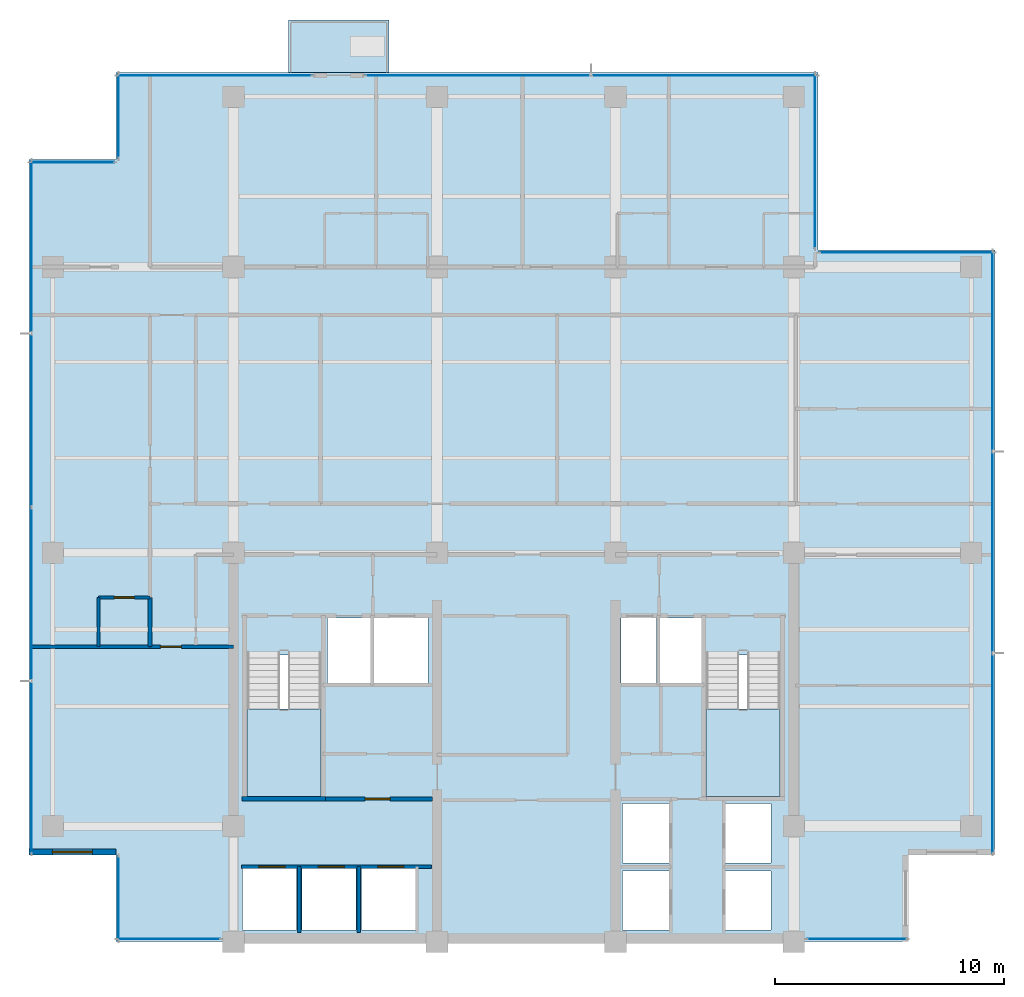
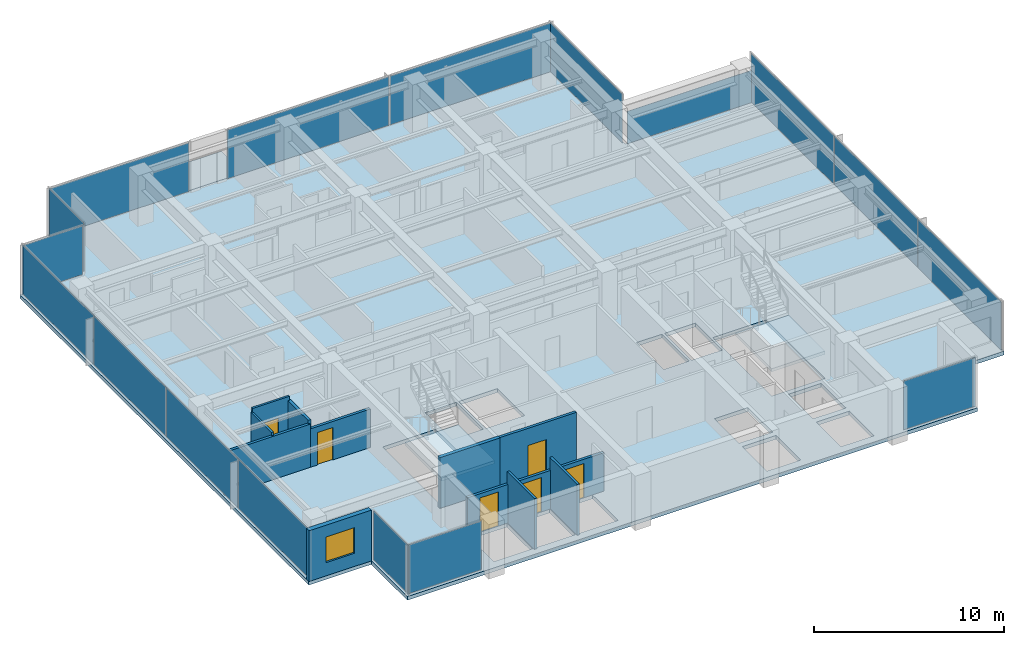
# One storey, part 6 of 14: 17 plates, 11 walls, 6 doors, 4 slabs, 1 window, 7 openings, 13 elements without a shape of their own.
"""IFC4 building model written with IfcOpenShell, lengths in metres."""

from ifc_helpers import new_model, si_unit, direction, frame, frame_2d, origin, origin_2d, place, context, subcontext, project, spatial, polyline, rectangle, outline, extrude, material, layer, layer_set, type_object, element, fill, aggregate, save


model = new_model("IFC4")

# Units and contexts
model_context = context("Model", 3, precision=1e-05, world=origin(), true_north=direction((0.0, 1.0)))
body_context = subcontext(model_context, "Body", "Model", "MODEL_VIEW")
ifc_project = project(units=[si_unit("LENGTHUNIT", "METRE"), si_unit("AREAUNIT", "SQUARE_METRE"), si_unit("VOLUMEUNIT", "CUBIC_METRE"), si_unit("PLANEANGLEUNIT", "RADIAN"), si_unit("MASSUNIT", "GRAM", prefix="KILO")], contexts=[model_context])

# Site, building, storey
site_placement = place(None, origin())
site = spatial("IfcSite", under=ifc_project, at=site_placement, CompositionType="ELEMENT")
building_placement = place(site_placement, origin())
building = spatial("IfcBuilding", under=site, at=building_placement, Name="Qalmaran Belvedere Hotel", CompositionType="ELEMENT")
storey_placement = place(building_placement, frame((0.0, 0.0, 235.39990234375)))
storey = spatial("IfcBuildingStorey", under=building, at=storey_placement, Name="L60", CompositionType="ELEMENT", Elevation=235.39990234375)

# Curtain wall, plate
ifc_material_1 = material(Name="Anodised Bronze Aluminium", Category="aluminium")
ifc_layer_1 = layer(ifc_material_1, 0.18994140625, Name="Anodised Bronze Aluminium")
ifc_layer_set_1 = layer_set([ifc_layer_1], Name="Anodised Bronze Aluminium")
curtain_wall_type = type_object("IfcCurtainWallType", Name="CW5-TOWER-UPPER", PredefinedType="NOTDEFINED", material=ifc_layer_set_1)
curtain_wall_1_placement = place(storey_placement, origin())
curtain_wall_1 = element("IfcCurtainWall", 1, at=curtain_wall_1_placement, inside=storey, type_object=curtain_wall_type, Name="L60 Curtain Wall CW5", PredefinedType="NOTDEFINED")
ifc_material_2 = material(Name="Solar-Control Double Glazing", Category="glass")
ifc_layer_2 = layer(ifc_material_2, 0.028076171875, Name="Solar-Control Double Glazing")
ifc_layer_set_2 = layer_set([ifc_layer_2], Name="Solar-Control Double Glazing")
plate_type = type_object("IfcPlateType", Name="CWP-VISION-28", PredefinedType="CURTAIN_PANEL", material=ifc_layer_set_2)
plate_1_placement = place(storey_placement, frame((17.467529296875, 3.6201171875, 0.065185546875), z_axis=(0.0, 0.0, 1.0), x_axis=(1.0, 0.0, 0.0)))
plate_1 = element("IfcPlate", 2, at=plate_1_placement, type_object=plate_type, Name="CW5 panel 1.1", PredefinedType="CURTAIN_PANEL", context=body_context, shape_type="SweptSolid", body=[
    extrude(rectangle(XDim=4.5048828125, YDim=0.028076171875, at=origin_2d()), origin(), (0.0, 0.0, 1.0), 3.1298828125),
])
aggregate(curtain_wall_1, [plate_1])

curtain_wall_2_placement = place(storey_placement, origin())
curtain_wall_2 = element("IfcCurtainWall", 3, at=curtain_wall_2_placement, inside=storey, type_object=curtain_wall_type, Name="L60 Curtain Wall CW5", PredefinedType="NOTDEFINED")
plate_2_placement = place(storey_placement, frame((47.5576171875, 3.6201171875, 0.065185546875), z_axis=(0.0, 0.0, 1.0), x_axis=(1.0, 0.0, 0.0)))
plate_2 = element("IfcPlate", 4, at=plate_2_placement, type_object=plate_type, Name="CW5 panel 1.1", PredefinedType="CURTAIN_PANEL", context=body_context, shape_type="SweptSolid", body=[
    extrude(rectangle(XDim=4.35498046875, YDim=0.028076171875, at=origin_2d()), origin(), (0.0, 0.0, 1.0), 3.1298828125),
])
aggregate(curtain_wall_2, [plate_2])

# Curtain wall, plates
curtain_wall_3_placement = place(storey_placement, origin())
curtain_wall_3 = element("IfcCurtainWall", 5, at=curtain_wall_3_placement, inside=storey, type_object=curtain_wall_type, Name="L60 Curtain Wall CW5", PredefinedType="NOTDEFINED")
plate_3_placement = place(storey_placement, frame((53.47998046875, 11.724609375, 0.065185546875), z_axis=(0.0, 0.0, 1.0), x_axis=(0.0, 1.0, 0.0)))
plate_3 = element("IfcPlate", 6, at=plate_3_placement, type_object=plate_type, Name="CW5 panel 1.1", PredefinedType="CURTAIN_PANEL", context=body_context, shape_type="SweptSolid", body=[
    extrude(rectangle(XDim=8.71923828125, YDim=0.028076171875, at=origin_2d()), origin(), (0.0, 0.0, 1.0), 3.1298828125),
])
plate_4_placement = place(storey_placement, frame((53.47998046875, 20.52490234375, 0.065185546875), z_axis=(0.0, 0.0, 1.0), x_axis=(0.0, 1.0, 0.0)))
plate_4 = element("IfcPlate", 7, at=plate_4_placement, type_object=plate_type, Name="CW5 panel 2.1", PredefinedType="CURTAIN_PANEL", context=body_context, shape_type="SweptSolid", body=[
    extrude(rectangle(XDim=8.751708984375, YDim=0.028076171875, at=origin_2d()), origin(), (0.0, 0.0, 1.0), 3.1298828125),
])
plate_5_placement = place(storey_placement, frame((53.47998046875, 29.325439453125, 0.065185546875), z_axis=(0.0, 0.0, 1.0), x_axis=(0.0, 1.0, 0.0)))
plate_5 = element("IfcPlate", 8, at=plate_5_placement, type_object=plate_type, Name="CW5 panel 3.1", PredefinedType="CURTAIN_PANEL", context=body_context, shape_type="SweptSolid", body=[
    extrude(rectangle(XDim=8.71923828125, YDim=0.028076171875, at=origin_2d()), origin(), (0.0, 0.0, 1.0), 3.1298828125),
])
aggregate(curtain_wall_3, [plate_3, plate_4, plate_5])

# Curtain wall, plate
curtain_wall_4_placement = place(storey_placement, origin())
curtain_wall_4 = element("IfcCurtainWall", 9, at=curtain_wall_4_placement, inside=storey, type_object=curtain_wall_type, Name="L60 Curtain Wall CW5", PredefinedType="NOTDEFINED")
plate_6_placement = place(storey_placement, frame((49.72509765625, 33.6298828125, 0.06494140625), z_axis=(0.0, 0.0, 1.0), x_axis=(-1.0, 0.0, 0.0)))
plate_6 = element("IfcPlate", 10, at=plate_6_placement, type_object=plate_type, Name="CW5 panel 1.1", PredefinedType="CURTAIN_PANEL", context=body_context, shape_type="SweptSolid", body=[
    extrude(rectangle(XDim=7.6201171875, YDim=0.028076171875, at=origin_2d()), origin(), (0.0, 0.0, 1.0), 2.074951171875),
])
aggregate(curtain_wall_4, [plate_6])

curtain_wall_5_placement = place(storey_placement, origin())
curtain_wall_5 = element("IfcCurtainWall", 11, at=curtain_wall_5_placement, inside=storey, type_object=curtain_wall_type, Name="L60 Curtain Wall CW5", PredefinedType="NOTDEFINED")
plate_7_placement = place(storey_placement, frame((45.72998046875, 37.625, 0.065185546875), z_axis=(0.0, 0.0, 1.0), x_axis=(0.0, 1.0, 0.0)))
plate_7 = element("IfcPlate", 12, at=plate_7_placement, type_object=plate_type, Name="CW5 panel 1.1", PredefinedType="CURTAIN_PANEL", context=body_context, shape_type="SweptSolid", body=[
    extrude(rectangle(XDim=7.6201171875, YDim=0.028076171875, at=origin_2d()), origin(), (0.0, 0.0, 1.0), 3.1298828125),
])
aggregate(curtain_wall_5, [plate_7])

curtain_wall_6_placement = place(storey_placement, origin())
curtain_wall_6 = element("IfcCurtainWall", 13, at=curtain_wall_6_placement, inside=storey, type_object=curtain_wall_type, Name="L60 Curtain Wall CW5", PredefinedType="NOTDEFINED")
plate_8_placement = place(storey_placement, frame((19.47509765625, 41.3798828125, 0.065185546875), z_axis=(0.0, 0.0, 1.0), x_axis=(-1.0, 0.0, 0.0)))
plate_8 = element("IfcPlate", 14, at=plate_8_placement, type_object=plate_type, Name="CW5 panel 1.1", PredefinedType="CURTAIN_PANEL", context=body_context, shape_type="SweptSolid", body=[
    extrude(rectangle(XDim=8.52001953125, YDim=0.028076171875, at=origin_2d()), origin(), (0.0, 0.0, 1.0), 3.1298828125),
])
aggregate(curtain_wall_6, [plate_8])

# Curtain wall, plates
curtain_wall_7_placement = place(storey_placement, origin())
curtain_wall_7 = element("IfcCurtainWall", 15, at=curtain_wall_7_placement, inside=storey, type_object=curtain_wall_type, Name="L60 Curtain Wall CW5", PredefinedType="NOTDEFINED")
plate_9_placement = place(storey_placement, frame((40.871337890625, 41.3798828125, 0.065185546875), z_axis=(0.0, 0.0, 1.0), x_axis=(-1.0, 0.0, 0.0)))
plate_9 = element("IfcPlate", 16, at=plate_9_placement, type_object=plate_type, Name="CW5 panel 1.1", PredefinedType="CURTAIN_PANEL", context=body_context, shape_type="SweptSolid", body=[
    extrude(rectangle(XDim=9.827392578125, YDim=0.028076171875, at=origin_2d()), origin(), (0.0, 0.0, 1.0), 3.1298828125),
])
plate_10_placement = place(storey_placement, frame((30.978759765625, 41.3798828125, 0.065185546875), z_axis=(0.0, 0.0, 1.0), x_axis=(-1.0, 0.0, 0.0)))
plate_10 = element("IfcPlate", 17, at=plate_10_placement, type_object=plate_type, Name="CW5 panel 2.1", PredefinedType="CURTAIN_PANEL", context=body_context, shape_type="SweptSolid", body=[
    extrude(rectangle(XDim=9.827392578125, YDim=0.028076171875, at=origin_2d()), origin(), (0.0, 0.0, 1.0), 3.1298828125),
])
aggregate(curtain_wall_7, [plate_9, plate_10])

# Curtain wall, plate
curtain_wall_8_placement = place(storey_placement, origin())
curtain_wall_8 = element("IfcCurtainWall", 18, at=curtain_wall_8_placement, inside=storey, type_object=curtain_wall_type, Name="L60 Curtain Wall CW5", PredefinedType="NOTDEFINED")
plate_11_placement = place(storey_placement, frame((15.27001953125, 39.60009765625, 0.065185546875), z_axis=(0.0, 0.0, 1.0), x_axis=(0.0, -1.0, 0.0)))
plate_11 = element("IfcPlate", 19, at=plate_11_placement, type_object=plate_type, Name="CW5 panel 1.1", PredefinedType="CURTAIN_PANEL", context=body_context, shape_type="SweptSolid", body=[
    extrude(rectangle(XDim=3.669921875, YDim=0.028076171875, at=origin_2d()), origin(), (0.0, 0.0, 1.0), 3.1298828125),
])
aggregate(curtain_wall_8, [plate_11])

curtain_wall_9_placement = place(storey_placement, origin())
curtain_wall_9 = element("IfcCurtainWall", 20, at=curtain_wall_9_placement, inside=storey, type_object=curtain_wall_type, Name="L60 Curtain Wall CW5", PredefinedType="NOTDEFINED")
plate_12_placement = place(storey_placement, frame((13.25, 37.580078125, 0.065185546875), z_axis=(0.0, 0.0, 1.0), x_axis=(-1.0, 0.0, 0.0)))
plate_12 = element("IfcPlate", 21, at=plate_12_placement, type_object=plate_type, Name="CW5 panel 1.1", PredefinedType="CURTAIN_PANEL", context=body_context, shape_type="SweptSolid", body=[
    extrude(rectangle(XDim=3.669921875, YDim=0.028076171875, at=origin_2d()), origin(), (0.0, 0.0, 1.0), 3.1298828125),
])
aggregate(curtain_wall_9, [plate_12])

# Curtain wall, plates
curtain_wall_10_placement = place(storey_placement, origin())
curtain_wall_10 = element("IfcCurtainWall", 22, at=curtain_wall_10_placement, inside=storey, type_object=curtain_wall_type, Name="L60 Curtain Wall CW5", PredefinedType="NOTDEFINED")
plate_13_placement = place(storey_placement, frame((11.469970703125, 33.8837890625, 0.065185546875), z_axis=(0.0, 0.0, 1.0), x_axis=(0.0, -1.0, 0.0)))
plate_13 = element("IfcPlate", 23, at=plate_13_placement, type_object=plate_type, Name="CW5 panel 1.1", PredefinedType="CURTAIN_PANEL", context=body_context, shape_type="SweptSolid", body=[
    extrude(rectangle(XDim=7.50244140625, YDim=0.028076171875, at=origin_2d()), origin(), (0.0, 0.0, 1.0), 3.1298828125),
])
plate_14_placement = place(storey_placement, frame((11.469970703125, 26.300048828125, 0.065185546875), z_axis=(0.0, 0.0, 1.0), x_axis=(0.0, -1.0, 0.0)))
plate_14 = element("IfcPlate", 24, at=plate_14_placement, type_object=plate_type, Name="CW5 panel 2.1", PredefinedType="CURTAIN_PANEL", context=body_context, shape_type="SweptSolid", body=[
    extrude(rectangle(XDim=7.534912109375, YDim=0.028076171875, at=origin_2d()), origin(), (0.0, 0.0, 1.0), 3.1298828125),
])
plate_15_placement = place(storey_placement, frame((11.469970703125, 18.699951171875, 0.065185546875), z_axis=(0.0, 0.0, 1.0), x_axis=(0.0, -1.0, 0.0)))
plate_15 = element("IfcPlate", 25, at=plate_15_placement, type_object=plate_type, Name="CW5 panel 3.1", PredefinedType="CURTAIN_PANEL", context=body_context, shape_type="SweptSolid", body=[
    extrude(rectangle(XDim=7.534912109375, YDim=0.028076171875, at=origin_2d()), origin(), (0.0, 0.0, 1.0), 3.1298828125),
])
plate_16_placement = place(storey_placement, frame((11.469970703125, 11.1162109375, 0.065185546875), z_axis=(0.0, 0.0, 1.0), x_axis=(0.0, -1.0, 0.0)))
plate_16 = element("IfcPlate", 26, at=plate_16_placement, type_object=plate_type, Name="CW5 panel 4.1", PredefinedType="CURTAIN_PANEL", context=body_context, shape_type="SweptSolid", body=[
    extrude(rectangle(XDim=7.50244140625, YDim=0.028076171875, at=origin_2d()), origin(), (0.0, 0.0, 1.0), 3.1298828125),
])
aggregate(curtain_wall_10, [plate_13, plate_14, plate_15, plate_16])

# Curtain wall, plate
curtain_wall_11_placement = place(storey_placement, origin())
curtain_wall_11 = element("IfcCurtainWall", 27, at=curtain_wall_11_placement, inside=storey, type_object=curtain_wall_type, Name="L60 Curtain Wall CW5", PredefinedType="NOTDEFINED")
plate_17_placement = place(storey_placement, frame((15.27001953125, 5.39990234375, 0.065185546875), z_axis=(0.0, 0.0, 1.0), x_axis=(0.0, -1.0, 0.0)))
plate_17 = element("IfcPlate", 28, at=plate_17_placement, type_object=plate_type, Name="CW5 panel 1.1", PredefinedType="CURTAIN_PANEL", context=body_context, shape_type="SweptSolid", body=[
    extrude(rectangle(XDim=3.669921875, YDim=0.028076171875, at=origin_2d()), origin(), (0.0, 0.0, 1.0), 3.1298828125),
])
aggregate(curtain_wall_11, [plate_17])

# Slab
ifc_material_3 = material(Name="Concrete C40/50", Category="concrete")
ifc_layer_3 = layer(ifc_material_3, 0.219970703125, Name="Concrete C40/50")
ifc_layer_set_3 = layer_set([ifc_layer_3], Name="Concrete C40/50")
slab_type_1 = type_object("IfcSlabType", Name="SLB-BAL-220", PredefinedType="USERDEFINED", material=ifc_layer_set_3)
slab_1_placement = place(storey_placement, frame((0.0, 0.0, -0.219970703125)))
element("IfcSlab", 29, at=slab_1_placement, inside=storey, type_object=slab_type_1, Name="L60 Planted Tree Balcony Slab 1", ObjectType="BALCONY", PredefinedType="USERDEFINED", context=body_context, shape_type="SweptSolid", body=[
    extrude(outline(polyline([(22.699951171875, 41.5), (27.10009765625, 41.5), (27.10009765625, 43.800048828125), (22.699951171875, 43.800048828125), (22.699951171875, 41.5)])), origin(), (0.0, 0.0, 1.0), 0.219970703125),
])

# Stair, slab
stair_type_1 = type_object("IfcStairType", Name="STR-ST-1-1450-R1750", PredefinedType="HALF_TURN_STAIR", material=ifc_material_3)
stair_1_placement = place(storey_placement, origin())
stair_1 = element("IfcStair", 30, at=stair_1_placement, inside=storey, type_object=stair_type_1, Name="L60 West Core Exit Stair ST-1", PredefinedType="HALF_TURN_STAIR")
ifc_layer_4 = layer(ifc_material_3, 0.199951171875, Name="Concrete C40/50")
ifc_layer_set_4 = layer_set([ifc_layer_4], Name="Concrete C40/50")
slab_type_2 = type_object("IfcSlabType", Name="SLB-STAIR-LANDING-200", PredefinedType="LANDING", material=ifc_layer_set_4)
slab_2_placement = place(storey_placement, frame((0.0, 0.0, 1.550048828125)))
slab_2 = element("IfcSlab", 31, at=slab_2_placement, type_object=slab_type_2, Name="ST-1 landing 1", PredefinedType="LANDING", context=body_context, shape_type="SweptSolid", body=[
    extrude(outline(polyline([(20.8798828125, 13.669921875), (20.8798828125, 9.85009765625), (24.1201171875, 9.85009765625), (24.1201171875, 13.669921875), (20.8798828125, 13.669921875)])), origin(), (0.0, 0.0, 1.0), 0.199951171875),
])
aggregate(stair_1, [slab_2])

stair_type_2 = type_object("IfcStairType", Name="STR-ST-2-1450-R1750", PredefinedType="HALF_TURN_STAIR", material=ifc_material_3)
stair_2_placement = place(storey_placement, origin())
stair_2 = element("IfcStair", 32, at=stair_2_placement, inside=storey, type_object=stair_type_2, Name="L60 East Core Exit Stair ST-2", PredefinedType="HALF_TURN_STAIR")
slab_3_placement = place(storey_placement, frame((0.0, 0.0, 1.550048828125)))
slab_3 = element("IfcSlab", 33, at=slab_3_placement, type_object=slab_type_2, Name="ST-2 landing 1", PredefinedType="LANDING", context=body_context, shape_type="SweptSolid", body=[
    extrude(outline(polyline([(40.9599609375, 13.669921875), (40.9599609375, 9.85009765625), (44.199951171875, 9.85009765625), (44.199951171875, 13.669921875), (40.9599609375, 13.669921875)])), origin(), (0.0, 0.0, 1.0), 0.199951171875),
])
aggregate(stair_2, [slab_3])

# Slab
ifc_layer_5 = layer(ifc_material_3, 0.239990234375, Name="Concrete C40/50")
ifc_layer_set_5 = layer_set([ifc_layer_5], Name="Concrete C40/50")
slab_type_3 = type_object("IfcSlabType", Name="SLB-Z4-240", PredefinedType="FLOOR", material=ifc_layer_set_5)
slab_4_placement = place(storey_placement, frame((0.0, 0.0, -0.239990234375)))
element("IfcSlab", 34, at=slab_4_placement, inside=storey, type_object=slab_type_3, Name="L60 Structural Floor Slab", PredefinedType="FLOOR", context=body_context, shape_type="SweptSolid", body=[
    extrude(outline(polyline([(15.14990234375, 3.5), (49.800048828125, 3.5), (49.800048828125, 7.300048828125), (53.60009765625, 7.300048828125), (53.60009765625, 33.75), (45.85009765625, 33.75), (45.85009765625, 41.5), (15.14990234375, 41.5), (15.14990234375, 37.699951171875), (11.35009765625, 37.699951171875), (11.35009765625, 7.300048828125), (15.14990234375, 7.300048828125), (15.14990234375, 3.5)]), holes=[polyline([(20.8798828125, 9.85009765625), (24.1201171875, 9.85009765625), (24.1201171875, 16.0400390625), (20.8798828125, 16.0400390625), (20.8798828125, 9.85009765625)]), polyline([(40.9599609375, 9.85009765625), (44.199951171875, 9.85009765625), (44.199951171875, 16.0400390625), (40.9599609375, 16.0400390625), (40.9599609375, 9.85009765625)]), polyline([(37.300048828125, 4.0), (39.35009765625, 4.0), (39.35009765625, 6.60009765625), (37.300048828125, 6.60009765625), (37.300048828125, 4.0)]), polyline([(37.300048828125, 6.949951171875), (39.35009765625, 6.949951171875), (39.35009765625, 9.550048828125), (37.300048828125, 9.550048828125), (37.300048828125, 6.949951171875)]), polyline([(41.800048828125, 4.0), (43.800048828125, 4.0), (43.800048828125, 6.60009765625), (41.800048828125, 6.60009765625), (41.800048828125, 4.0)]), polyline([(41.800048828125, 6.949951171875), (43.800048828125, 6.949951171875), (43.800048828125, 9.550048828125), (41.800048828125, 9.550048828125), (41.800048828125, 6.949951171875)]), polyline([(20.699951171875, 4.0), (23.050048828125, 4.0), (23.050048828125, 6.699951171875), (20.699951171875, 6.699951171875), (20.699951171875, 4.0)]), polyline([(23.300048828125, 4.0), (25.64990234375, 4.0), (25.64990234375, 6.699951171875), (23.300048828125, 6.699951171875), (23.300048828125, 4.0)]), polyline([(25.89990234375, 4.0), (28.25, 4.0), (28.25, 6.699951171875), (25.89990234375, 6.699951171875), (25.89990234375, 4.0)]), polyline([(24.39990234375, 14.800048828125), (26.300048828125, 14.800048828125), (26.300048828125, 17.64990234375), (24.39990234375, 17.64990234375), (24.39990234375, 14.800048828125)]), polyline([(38.949951171875, 14.800048828125), (40.820068359375, 14.800048828125), (40.820068359375, 17.64990234375), (38.949951171875, 17.64990234375), (38.949951171875, 14.800048828125)]), polyline([(26.449951171875, 14.800048828125), (28.800048828125, 14.800048828125), (28.800048828125, 17.64990234375), (26.449951171875, 17.64990234375), (26.449951171875, 14.800048828125)]), polyline([(37.25, 14.800048828125), (38.800048828125, 14.800048828125), (38.800048828125, 17.64990234375), (37.25, 17.64990234375), (37.25, 14.800048828125)])]), origin(), (0.0, 0.0, 1.0), 0.239990234375),
])

# Wall, opening, window
ifc_material_4 = material(Name="Anodised Bronze Cladding")
ifc_layer_6 = layer(ifc_material_4, 0.280029296875, Name="Anodised Bronze Cladding")
ifc_layer_set_6 = layer_set([ifc_layer_6], Name="Anodised Bronze Cladding")
wall_type_1 = type_object("IfcWallType", Name="WL-EXT-BRNZ-280", PredefinedType="SOLIDWALL", material=ifc_layer_set_6)
wall_1_placement = place(storey_placement, frame((11.35009765625, 7.419921875, 0.0), z_axis=(0.0, 0.0, 1.0), x_axis=(1.0, 0.0, 0.0)))
wall_1 = element("IfcWall", 35, at=wall_1_placement, inside=storey, type_object=wall_type_1, Name="L60 Corner Notch Wall 10", PredefinedType="SOLIDWALL", context=body_context, shape_type="SweptSolid", body=[
    extrude(rectangle(XDim=3.7998046875, YDim=0.280029296875, at=frame_2d((1.89990234375, 0.0))), origin(), (0.0, 0.0, 1.0), 3.260009765625),
])
opening_1_placement = place(wall_1_placement, frame((1.02490234375, 0.0, 0.85009765625)))
opening_1 = element("IfcOpeningElement", 36, at=opening_1_placement, cuts=wall_1, Name="Opening W-N17", PredefinedType="OPENING", context=body_context, shape_type="SweptSolid", body=[
    extrude(rectangle(XDim=1.75, YDim=1.64990234375, at=frame_2d((0.875, 0.824951171875))), frame((0.0, 0.14990234375, 0.0), z_axis=(0.0, -1.0, 0.0), x_axis=(1.0, 0.0, 0.0)), (0.0, 0.0, 1.0), 0.300048828125),
])
window_type = type_object("IfcWindowType", Name="WN-NTC-1750X1650", PartitioningType="SINGLE_PANEL", PredefinedType="WINDOW", material=ifc_material_2)
window_placement = place(opening_1_placement, origin())
window = element("IfcWindow", 37, at=window_placement, inside=storey, type_object=window_type, Name="L60 Corner Notch Window 10", OverallHeight=1.64990234375, OverallWidth=1.75, PartitioningType="SINGLE_PANEL", PredefinedType="WINDOW", context=body_context, shape_type="SweptSolid", body=[
    extrude(rectangle(XDim=1.75, YDim=1.64990234375, at=frame_2d((0.875, 0.824951171875))), frame((0.0, 0.030029296875, 0.0), z_axis=(0.0, -1.0, 0.0), x_axis=(1.0, 0.0, 0.0)), (0.0, 0.0, 1.0), 0.06005859375),
])
fill(opening_1, window)

# Wall, opening, door
ifc_material_5 = material(Name="Moisture-Resistant Gypsum")
ifc_layer_7 = layer(ifc_material_5, 0.1201171875, Name="Moisture-Resistant Gypsum")
ifc_layer_set_7 = layer_set([ifc_layer_7], Name="Moisture-Resistant Gypsum")
wall_type_2 = type_object("IfcWallType", Name="WL-INT-120-BATH", PredefinedType="PARTITIONING", material=ifc_layer_set_7)
wall_2_placement = place(storey_placement, frame((14.39990234375, 18.550048828125, 0.0), z_axis=(0.0, 0.0, 1.0), x_axis=(1.0, 0.0, 0.0)))
wall_2 = element("IfcWall", 38, at=wall_2_placement, inside=storey, type_object=wall_type_2, Name="L60 Partition WL-L60-WBN00", PredefinedType="PARTITIONING", context=body_context, shape_type="SweptSolid", body=[
    extrude(rectangle(XDim=2.25, YDim=0.1201171875, at=frame_2d((1.125, 0.0))), origin(), (0.0, 0.0, 1.0), 3.260009765625),
])
opening_2_placement = place(wall_2_placement, frame((1.56494140625, 0.0, 0.0), z_axis=(0.0, 0.0, 1.0), x_axis=(-1.0, 0.0, 0.0)))
opening_2 = element("IfcOpeningElement", 39, at=opening_2_placement, cuts=wall_2, Name="Opening D-BATH", PredefinedType="OPENING", context=body_context, shape_type="SweptSolid", body=[
    extrude(rectangle(XDim=0.8798828125, YDim=2.080078125, at=frame_2d((0.43994140625, 1.0400390625))), frame((0.0, 0.070068359375, 0.0), z_axis=(0.0, -1.0, 0.0), x_axis=(1.0, 0.0, 0.0)), (0.0, 0.0, 1.0), 0.14013671875),
])
ifc_material_6 = material(Name="Engineered Oak Veneer")
door_type_1 = type_object("IfcDoorType", Name="DR-INT-BATH-880X2080", OperationType="NOTDEFINED", PredefinedType="DOOR", material=ifc_material_6)
door_1_placement = place(opening_2_placement, origin())
door_1 = element("IfcDoor", 40, at=door_1_placement, inside=storey, type_object=door_type_1, Name="L60 W Ensuite Door 01", OperationType="SINGLE_SWING_RIGHT", OverallHeight=2.080078125, OverallWidth=0.8798828125, PredefinedType="DOOR", context=body_context, shape_type="SweptSolid", body=[
    extrude(rectangle(XDim=0.8798828125, YDim=2.080078125, at=frame_2d((0.43994140625, 1.0400390625))), frame((0.0, 0.02490234375, 0.0), z_axis=(0.0, -1.0, 0.0), x_axis=(1.0, 0.0, 0.0)), (0.0, 0.0, 1.0), 0.050048828125),
])
fill(opening_2, door_1)

# Walls
wall_3_placement = place(storey_placement, frame((14.39990234375, 16.39990234375, 0.0), z_axis=(0.0, 0.0, 1.0), x_axis=(0.0, 1.0, 0.0)))
element("IfcWall", 41, at=wall_3_placement, inside=storey, type_object=wall_type_2, Name="L60 Partition WL-L60-WBS00", PredefinedType="PARTITIONING", context=body_context, shape_type="SweptSolid", body=[
    extrude(rectangle(XDim=2.150146484375, YDim=0.1201171875, at=frame_2d((1.0751953125, 0.0))), origin(), (0.0, 0.0, 1.0), 2.998046875),
])
ifc_material_7 = material(Name="Gypsum Stud Partition")
ifc_layer_8 = layer(ifc_material_7, 0.14990234375, Name="Gypsum Stud Partition")
ifc_layer_set_8 = layer_set([ifc_layer_8], Name="Gypsum Stud Partition")
wall_type_3 = type_object("IfcWallType", Name="WL-INT-150-EI120", PredefinedType="PARTITIONING", material=ifc_layer_set_8)
for number, where, z_axis, x_axis, name in (
    (42, (23.179931640625, 3.89990234375, 0.0), (0.0, 0.0, 1.0), (0.0, 1.0, 0.0), "L60 Partition WL-POM1-L60"),
    (43, (25.780029296875, 3.89990234375, 0.0), (0.0, 0.0, 1.0), (0.0, 1.0, 0.0), "L60 Partition WL-POM2-L60"),
):
    element("IfcWall", number, at=place(storey_placement, frame(where, z_axis=z_axis, x_axis=x_axis)), inside=storey, type_object=wall_type_3, Name=name, PredefinedType="PARTITIONING", context=body_context, shape_type="SweptSolid", body=[
        extrude(rectangle(XDim=2.880126953125, YDim=0.14990234375, at=frame_2d((1.43994140625, 0.0))), origin(), (0.0, 0.0, 1.0), 3.260009765625),
    ])

# Wall, openings, doors
ifc_layer_9 = layer(ifc_material_7, 0.159912109375, Name="Gypsum Stud Partition")
ifc_layer_set_9 = layer_set([ifc_layer_9], Name="Gypsum Stud Partition")
wall_type_4 = type_object("IfcWallType", Name="WL-INT-160-EI120", PredefinedType="PARTITIONING", material=ifc_layer_set_9)
wall_4_placement = place(storey_placement, frame((20.64990234375, 6.780029296875, 0.0), z_axis=(0.0, 0.0, 1.0), x_axis=(1.0, 0.0, 0.0)))
wall_4 = element("IfcWall", 44, at=wall_4_placement, inside=storey, type_object=wall_type_4, Name="L60 Partition WL-POS-L60", PredefinedType="PARTITIONING", context=body_context, shape_type="SweptSolid", body=[
    extrude(rectangle(XDim=8.300048828125, YDim=0.159912109375, at=frame_2d((4.14990234375, 0.0))), origin(), (0.0, 0.0, 1.0), 2.47216796875),
])
opening_3_placement = place(wall_4_placement, frame((0.75, 0.0, 0.0)))
opening_3 = element("IfcOpeningElement", 45, at=opening_3_placement, cuts=wall_4, Name="Opening LD-PO", PredefinedType="OPENING", context=body_context, shape_type="SweptSolid", body=[
    extrude(rectangle(XDim=1.14990234375, YDim=2.199951171875, at=frame_2d((0.574951171875, 1.10009765625))), frame((0.0, 0.08984375, 0.0), z_axis=(0.0, -1.0, 0.0), x_axis=(1.0, 0.0, 0.0)), (0.0, 0.0, 1.0), 0.179931640625),
])
opening_4_placement = place(wall_4_placement, frame((3.35009765625, 0.0, 0.0)))
opening_4 = element("IfcOpeningElement", 46, at=opening_4_placement, cuts=wall_4, Name="Opening LD-PO", PredefinedType="OPENING", context=body_context, shape_type="SweptSolid", body=[
    extrude(rectangle(XDim=1.14990234375, YDim=2.199951171875, at=frame_2d((0.574951171875, 1.10009765625))), frame((0.0, 0.08984375, 0.0), z_axis=(0.0, -1.0, 0.0), x_axis=(1.0, 0.0, 0.0)), (0.0, 0.0, 1.0), 0.179931640625),
])
opening_5_placement = place(wall_4_placement, frame((5.949951171875, 0.0, 0.0)))
opening_5 = element("IfcOpeningElement", 47, at=opening_5_placement, cuts=wall_4, Name="Opening LD-PO", PredefinedType="OPENING", context=body_context, shape_type="SweptSolid", body=[
    extrude(rectangle(XDim=1.14990234375, YDim=2.199951171875, at=frame_2d((0.574951171875, 1.10009765625))), frame((0.0, 0.08984375, 0.0), z_axis=(0.0, -1.0, 0.0), x_axis=(1.0, 0.0, 0.0)), (0.0, 0.0, 1.0), 0.179931640625),
])
door_type_2 = type_object("IfcDoorType", Name="DR-LIFT-PO-1150X2200", OperationType="DOUBLE_DOOR_SLIDING", PredefinedType="DOOR", material=ifc_material_1)
door_2_placement = place(opening_3_placement, origin())
door_2 = element("IfcDoor", 48, at=door_2_placement, inside=storey, type_object=door_type_2, Name="L60 PO1 Shuttle Landing Door", OperationType="DOUBLE_DOOR_SLIDING", OverallHeight=2.199951171875, OverallWidth=1.14990234375, PredefinedType="DOOR", context=body_context, shape_type="SweptSolid", body=[
    extrude(rectangle(XDim=1.14990234375, YDim=2.199951171875, at=frame_2d((0.574951171875, 1.10009765625))), frame((0.0, 0.02490234375, 0.0), z_axis=(0.0, -1.0, 0.0), x_axis=(1.0, 0.0, 0.0)), (0.0, 0.0, 1.0), 0.050048828125),
])
fill(opening_3, door_2)
door_3_placement = place(opening_4_placement, origin())
door_3 = element("IfcDoor", 49, at=door_3_placement, inside=storey, type_object=door_type_2, Name="L60 PO2 Shuttle Landing Door", OperationType="DOUBLE_DOOR_SLIDING", OverallHeight=2.199951171875, OverallWidth=1.14990234375, PredefinedType="DOOR", context=body_context, shape_type="SweptSolid", body=[
    extrude(rectangle(XDim=1.14990234375, YDim=2.199951171875, at=frame_2d((0.574951171875, 1.10009765625))), frame((0.0, 0.02490234375, 0.0), z_axis=(0.0, -1.0, 0.0), x_axis=(1.0, 0.0, 0.0)), (0.0, 0.0, 1.0), 0.050048828125),
])
fill(opening_4, door_3)
door_4_placement = place(opening_5_placement, origin())
door_4 = element("IfcDoor", 50, at=door_4_placement, inside=storey, type_object=door_type_2, Name="L60 PO3 Shuttle Landing Door", OperationType="DOUBLE_DOOR_SLIDING", OverallHeight=2.199951171875, OverallWidth=1.14990234375, PredefinedType="DOOR", context=body_context, shape_type="SweptSolid", body=[
    extrude(rectangle(XDim=1.14990234375, YDim=2.199951171875, at=frame_2d((0.574951171875, 1.10009765625))), frame((0.0, 0.02490234375, 0.0), z_axis=(0.0, -1.0, 0.0), x_axis=(1.0, 0.0, 0.0)), (0.0, 0.0, 1.0), 0.050048828125),
])
fill(opening_5, door_4)

# Wall, opening, door
wall_5_placement = place(storey_placement, frame((24.199951171875, 9.739990234375, 0.0), z_axis=(0.0, 0.0, 1.0), x_axis=(1.0, 0.0, 0.0)))
wall_5 = element("IfcWall", 51, at=wall_5_placement, inside=storey, type_object=wall_type_4, Name="L60 Partition WL-PON-L60", PredefinedType="PARTITIONING", context=body_context, shape_type="SweptSolid", body=[
    extrude(rectangle(XDim=4.800048828125, YDim=0.159912109375, at=frame_2d((2.39990234375, 0.0))), origin(), (0.0, 0.0, 1.0), 3.260009765625),
])
opening_6_placement = place(wall_5_placement, frame((1.85009765625, 0.0, 0.0)))
opening_6 = element("IfcOpeningElement", 52, at=opening_6_placement, cuts=wall_5, Name="Opening FD90", PredefinedType="OPENING", context=body_context, shape_type="SweptSolid", body=[
    extrude(rectangle(XDim=1.10009765625, YDim=2.14990234375, at=frame_2d((0.550048828125, 1.074951171875))), frame((0.0, 0.08984375, 0.0), z_axis=(0.0, -1.0, 0.0), x_axis=(1.0, 0.0, 0.0)), (0.0, 0.0, 1.0), 0.179931640625),
])
ifc_material_8 = material(Name="Steel S355JR", Category="steel")
door_type_3 = type_object("IfcDoorType", Name="DR-FD90-1100X2150", OperationType="NOTDEFINED", PredefinedType="DOOR", material=ifc_material_8)
door_5_placement = place(opening_6_placement, origin())
door_5 = element("IfcDoor", 53, at=door_5_placement, inside=storey, type_object=door_type_3, Name="L60 Shuttle Lobby Passage Door", OperationType="SINGLE_SWING_LEFT", OverallHeight=2.14990234375, OverallWidth=1.10009765625, PredefinedType="DOOR", context=body_context, shape_type="SweptSolid", body=[
    extrude(rectangle(XDim=1.10009765625, YDim=2.14990234375, at=frame_2d((0.550048828125, 1.074951171875))), frame((0.0, 0.02490234375, 0.0), z_axis=(0.0, -1.0, 0.0), x_axis=(1.0, 0.0, 0.0)), (0.0, 0.0, 1.0), 0.050048828125),
])
fill(opening_6, door_5)

ifc_layer_10 = layer(ifc_material_7, 0.159912109375, Name="Gypsum Stud Partition")
ifc_layer_set_10 = layer_set([ifc_layer_10], Name="Gypsum Stud Partition")
wall_type_5 = type_object("IfcWallType", Name="WL-INT-160-EI60", PredefinedType="PARTITIONING", material=ifc_layer_set_10)
wall_6_placement = place(storey_placement, frame((16.64990234375, 16.39990234375, 0.0), z_axis=(0.0, 0.0, 1.0), x_axis=(1.0, 0.0, 0.0)))
wall_6 = element("IfcWall", 54, at=wall_6_placement, inside=storey, type_object=wall_type_5, Name="L60 Partition WL-L60-SWRL", PredefinedType="PARTITIONING", context=body_context, shape_type="SweptSolid", body=[
    extrude(rectangle(XDim=3.650146484375, YDim=0.159912109375, at=frame_2d((1.8251953125, 0.0))), origin(), (0.0, 0.0, 1.0), 2.47216796875),
])
opening_7_placement = place(wall_6_placement, frame((1.369873046875, 0.0, 0.0), z_axis=(0.0, 0.0, 1.0), x_axis=(-1.0, 0.0, 0.0)))
opening_7 = element("IfcOpeningElement", 55, at=opening_7_placement, cuts=wall_6, Name="Opening FD60S1", PredefinedType="OPENING", context=body_context, shape_type="SweptSolid", body=[
    extrude(rectangle(XDim=0.919921875, YDim=2.080078125, at=frame_2d((0.4599609375, 1.0400390625))), frame((0.0, 0.08984375, 0.0), z_axis=(0.0, -1.0, 0.0), x_axis=(1.0, 0.0, 0.0)), (0.0, 0.0, 1.0), 0.179931640625),
])
door_type_4 = type_object("IfcDoorType", Name="DR-FD60S-920X2080", OperationType="NOTDEFINED", PredefinedType="DOOR", material=ifc_material_6)
door_6_placement = place(opening_7_placement, origin())
door_6 = element("IfcDoor", 56, at=door_6_placement, inside=storey, type_object=door_type_4, Name="L60 SW Study Door", OperationType="SINGLE_SWING_LEFT", OverallHeight=2.080078125, OverallWidth=0.919921875, PredefinedType="DOOR", context=body_context, shape_type="SweptSolid", body=[
    extrude(rectangle(XDim=0.919921875, YDim=2.080078125, at=frame_2d((0.4599609375, 1.0400390625))), frame((0.0, 0.02490234375, 0.0), z_axis=(0.0, -1.0, 0.0), x_axis=(1.0, 0.0, 0.0)), (0.0, 0.0, 1.0), 0.050048828125),
])
fill(opening_7, door_6)

# Walls
wall_7_placement = place(storey_placement, frame((11.469970703125, 16.39990234375, 0.0), z_axis=(0.0, 0.0, 1.0), x_axis=(1.0, 0.0, 0.0)))
element("IfcWall", 57, at=wall_7_placement, inside=storey, type_object=wall_type_5, Name="L60 Partition WL-L60-WBOT", PredefinedType="PARTITIONING", context=body_context, shape_type="SweptSolid", body=[
    extrude(rectangle(XDim=5.179931640625, YDim=0.159912109375, at=frame_2d((2.58984375, 0.0))), origin(), (0.0, 0.0, 1.0), 2.781982421875),
])
ifc_layer_11 = layer(ifc_material_7, 0.179931640625, Name="Gypsum Stud Partition")
ifc_layer_set_11 = layer_set([ifc_layer_11], Name="Gypsum Stud Partition")
wall_type_6 = type_object("IfcWallType", Name="WL-INT-180-EI60", PredefinedType="PARTITIONING", material=ifc_layer_set_11)
wall_8_placement = place(storey_placement, frame((16.64990234375, 16.39990234375, 0.0), z_axis=(0.0, 0.0, 1.0), x_axis=(0.0, 1.0, 0.0)))
element("IfcWall", 58, at=wall_8_placement, inside=storey, type_object=wall_type_6, Name="L60 Partition WL-L60-WBC00", PredefinedType="PARTITIONING", context=body_context, shape_type="SweptSolid", body=[
    extrude(rectangle(XDim=2.150146484375, YDim=0.179931640625, at=frame_2d((1.0751953125, 0.0))), origin(), (0.0, 0.0, 1.0), 2.998046875),
])
ifc_material_9 = material(Name="Concrete C50/60", Category="concrete")
ifc_layer_12 = layer(ifc_material_9, 0.2099609375, Name="Concrete C50/60")
ifc_layer_set_12 = layer_set([ifc_layer_12], Name="Concrete C50/60")
wall_type_7 = type_object("IfcWallType", Name="WL-STAIR-210-C50", PredefinedType="SHEAR", material=ifc_layer_set_12)
wall_9_placement = place(storey_placement, frame((20.669921875, 9.7451171875, 0.0), z_axis=(0.0, 0.0, 1.0), x_axis=(1.0, 0.0, 0.0)))
element("IfcWall", 59, at=wall_9_placement, inside=storey, type_object=wall_type_7, Name="L60 Stair ST-1 South Bearing Wall", PredefinedType="SHEAR", context=body_context, shape_type="SweptSolid", body=[
    extrude(rectangle(XDim=3.66015625, YDim=0.2099609375, at=frame_2d((1.830078125, 0.0))), origin(), (0.0, 0.0, 1.0), 3.260009765625),
])

save(model, "model.ifc")
